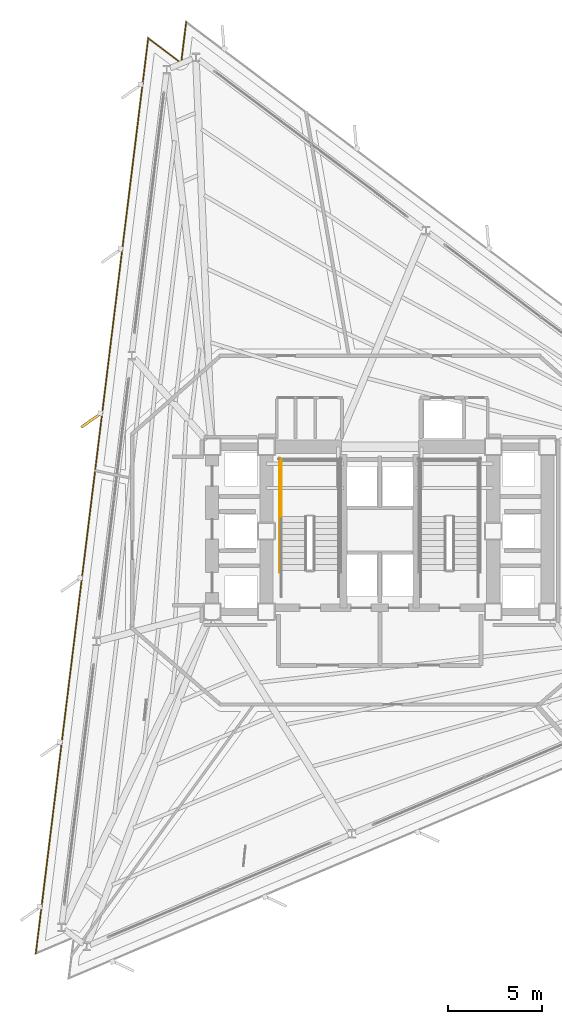
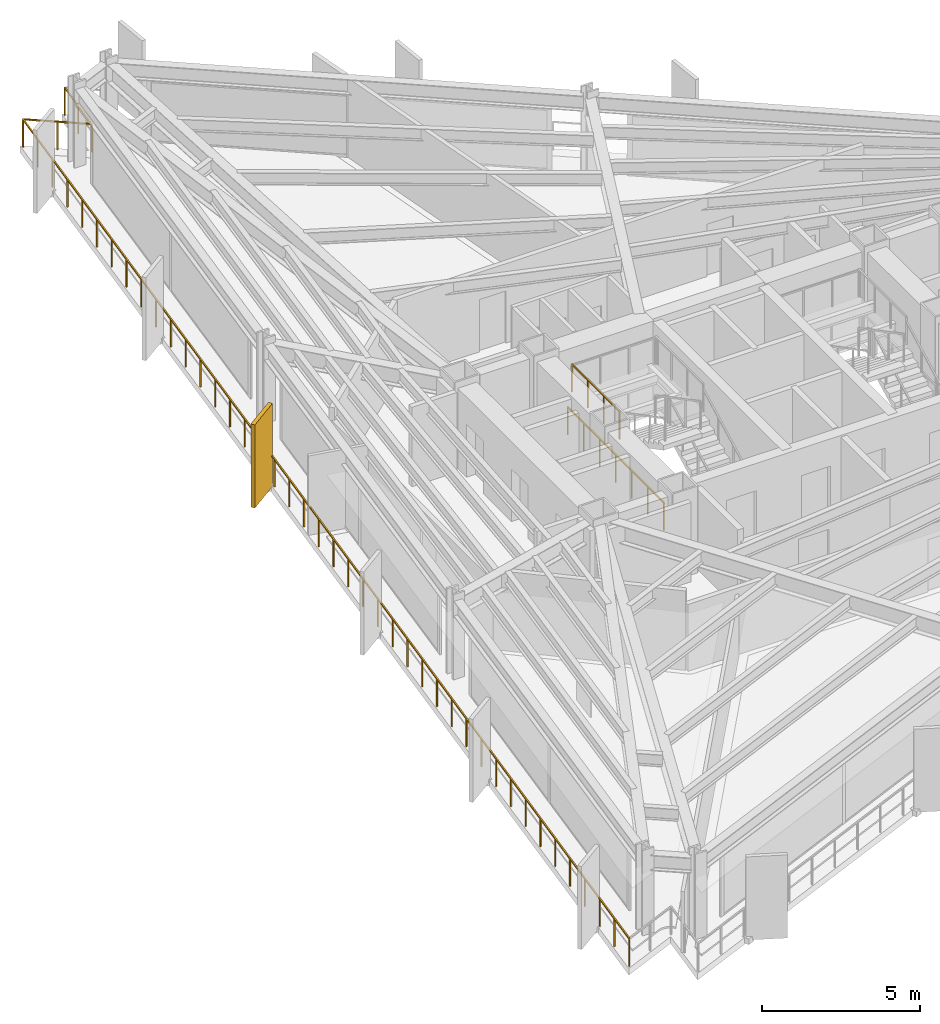
# One storey, part 11 of 13: 3 railings, 1 shading device.
"""IFC4 building model written with IfcOpenShell, lengths in metres."""

from ifc_helpers import new_model, si_unit, direction, frame, origin, origin_2d, place, context, subcontext, project, spatial, rectangle, extrude, material, layer, layer_set, type_object, element, save


model = new_model("IFC4")

# Units and contexts
model_context = context("Model", 3, precision=1e-05, world=origin(), true_north=direction((0.0, 1.0)))
body_context = subcontext(model_context, "Body", "Model", "MODEL_VIEW")
ifc_project = project(units=[si_unit("LENGTHUNIT", "METRE"), si_unit("AREAUNIT", "SQUARE_METRE"), si_unit("VOLUMEUNIT", "CUBIC_METRE"), si_unit("PLANEANGLEUNIT", "RADIAN"), si_unit("MASSUNIT", "GRAM", prefix="KILO")], contexts=[model_context])

# Site, building, storey
site_placement = place(None, origin())
site = spatial("IfcSite", under=ifc_project, at=site_placement, CompositionType="ELEMENT")
building_placement = place(site_placement, origin())
building = spatial("IfcBuilding", under=site, at=building_placement, Name="Rocaltana Carrier Exchange", CompositionType="ELEMENT")
storey_placement = place(building_placement, frame((0.0, 0.0, 69.760009765625)))
storey = spatial("IfcBuildingStorey", under=building, at=storey_placement, Name="L21", CompositionType="ELEMENT", Elevation=69.760009765625)

# Railings
ifc_material_1 = material(Name="Powder-Coated Aluminium 6063-T6", Category="aluminium")
ifc_layer_1 = layer(ifc_material_1, 0.048095703125)
ifc_layer_set_1 = layer_set([ifc_layer_1], Name="Powder-Coated Aluminium 6063-T6")
railing_type_1 = type_object("IfcRailingType", Name="Stair Well Guardrail 1100", PredefinedType="GUARDRAIL", material=ifc_layer_set_1)
railing_1_placement = place(storey_placement, frame((-5.25, 0.780029296875, 1.679931640625)))
element("IfcRailing", 1, at=railing_1_placement, inside=storey, type_object=railing_type_1, Name="L21 ST-1 stair guard 4", PredefinedType="GUARDRAIL", context=body_context, shape_type="SweptSolid", body=[
    extrude(rectangle(XDim=0.048095703125, YDim=0.048095703125, at=origin_2d()), frame((0.0, 0.0, 1.076171875), z_axis=(0.0, 1.0, 0.0), x_axis=(-1.0, 0.0, 0.0)), (0.0, 0.0, 1.0), 3.02001953125),
    extrude(rectangle(XDim=0.0419921875, YDim=0.0419921875, at=origin_2d()), origin(), (0.0, 0.0, 1.0), 1.052001953125),
    extrude(rectangle(XDim=0.0419921875, YDim=0.0419921875, at=origin_2d()), frame((0.0, 1.006591796875, 0.0)), (0.0, 0.0, 1.0), 1.052001953125),
    extrude(rectangle(XDim=0.0419921875, YDim=0.0419921875, at=origin_2d()), frame((0.0, 2.013427734375, 0.0)), (0.0, 0.0, 1.0), 1.052001953125),
    extrude(rectangle(XDim=0.0419921875, YDim=0.0419921875, at=origin_2d()), frame((0.0, 3.02001953125, 0.0)), (0.0, 0.0, 1.0), 1.052001953125),
])
railing_2_placement = place(storey_placement, frame((-5.35009765625, -2.199951171875, 0.0)))
element("IfcRailing", 2, at=railing_2_placement, inside=storey, type_object=railing_type_1, Name="L21 ST-1 stair guard 11", PredefinedType="GUARDRAIL", context=body_context, shape_type="SweptSolid", body=[
    extrude(rectangle(XDim=0.048095703125, YDim=0.048095703125, at=origin_2d()), frame((0.0, 0.0, 1.076171875), z_axis=(0.0, 1.0, 0.0), x_axis=(-1.0, 0.0, 0.0)), (0.0, 0.0, 1.0), 6.099853515625),
    extrude(rectangle(XDim=0.0419921875, YDim=0.0419921875, at=origin_2d()), origin(), (0.0, 0.0, 1.0), 1.052001953125),
    extrude(rectangle(XDim=0.0419921875, YDim=0.0419921875, at=origin_2d()), frame((0.0, 1.0166015625, 0.0)), (0.0, 0.0, 1.0), 1.052001953125),
    extrude(rectangle(XDim=0.0419921875, YDim=0.0419921875, at=origin_2d()), frame((0.0, 2.033203125, 0.0)), (0.0, 0.0, 1.0), 1.052001953125),
    extrude(rectangle(XDim=0.0419921875, YDim=0.0419921875, at=origin_2d()), frame((0.0, 3.0498046875, 0.0)), (0.0, 0.0, 1.0), 1.052001953125),
    extrude(rectangle(XDim=0.0419921875, YDim=0.0419921875, at=origin_2d()), frame((0.0, 4.066650390625, 0.0)), (0.0, 0.0, 1.0), 1.052001953125),
    extrude(rectangle(XDim=0.0419921875, YDim=0.0419921875, at=origin_2d()), frame((0.0, 5.083251953125, 0.0)), (0.0, 0.0, 1.0), 1.052001953125),
    extrude(rectangle(XDim=0.0419921875, YDim=0.0419921875, at=origin_2d()), frame((0.0, 6.099853515625, 0.0)), (0.0, 0.0, 1.0), 1.052001953125),
])

# Shading device
ifc_material_2 = material(Name="Honed Bogota Sandstone & Concrete C45/55", Category="masonry")
ifc_layer_2 = layer(ifc_material_2, 0.139892578125)
ifc_layer_set_2 = layer_set([ifc_layer_2], Name="Honed Bogota Sandstone & Concrete C45/55")
shading_device_type = type_object("IfcShadingDeviceType", Name="Vertical Sandstone Shading Fin 1320x140", PredefinedType="USERDEFINED", material=ifc_layer_set_2)
shading_device_placement = place(storey_placement, frame((-15.38427734375, 5.92431640625, -0.1201171875), z_axis=(0.0, 0.0, 1.0), x_axis=(-0.819152044289, -0.573576436351, 0.0)))
element("IfcShadingDevice", 3, at=shading_device_placement, inside=storey, type_object=shading_device_type, Name="L21 Sandstone Vertical Fin F2-03", ObjectType="FIN", PredefinedType="USERDEFINED", context=body_context, shape_type="SweptSolid", body=[
    extrude(rectangle(XDim=1.320068359375, YDim=0.139892578125, at=origin_2d()), origin(), (0.0, 0.0, 1.0), 3.218017578125),
])

# Railing
ifc_material_3 = material(Name="Powder-Coated Aluminium 6063-T6", Category="aluminium")
ifc_layer_3 = layer(ifc_material_3, 0.06005859375)
ifc_layer_set_3 = layer_set([ifc_layer_3], Name="Powder-Coated Aluminium 6063-T6")
railing_type_2 = type_object("IfcRailingType", Name="Wind-Floor & Terrace Perimeter Guardrail 1100", PredefinedType="GUARDRAIL", material=ifc_layer_set_3)
railing_3_placement = place(storey_placement, frame((-18.352783203125, -22.52734375, 0.0)))
element("IfcRailing", 4, at=railing_3_placement, inside=storey, type_object=railing_type_2, Name="L21 Perimeter Balcony Guardrail 2", PredefinedType="GUARDRAIL", context=body_context, shape_type="SweptSolid", body=[
    extrude(rectangle(XDim=0.048095703125, YDim=0.048095703125, at=origin_2d()), frame((0.0, 0.0, 1.076171875), z_axis=(0.12186659782, 0.992546488753, 0.0), x_axis=(-0.992546488753, 0.12186659782, 0.0)), (0.0, 0.0, 1.0), 49.192138671875),
    extrude(rectangle(XDim=0.048095703125, YDim=0.048095703125, at=origin_2d()), frame((5.994873046875, 48.825439453125, 1.076171875), z_axis=(0.798653030423, -0.601791772125, 0.0), x_axis=(0.601791772125, 0.798653030423, 0.0)), (0.0, 0.0, 1.0), 2.199951171875),
    extrude(rectangle(XDim=0.048095703125, YDim=0.048095703125, at=origin_2d()), frame((7.751953125, 47.50146484375, 1.076171875), z_axis=(0.121849105842, 0.992548636292, 0.0), x_axis=(-0.992548636292, 0.121849105842, 0.0)), (0.0, 0.0, 1.0), 2.199951171875),
    extrude(rectangle(XDim=0.0419921875, YDim=0.0419921875, at=origin_2d()), origin(), (0.0, 0.0, 1.0), 1.052001953125),
    extrude(rectangle(XDim=0.0419921875, YDim=0.0419921875, at=origin_2d()), frame((0.146240234375, 1.19091796875, 0.0)), (0.0, 0.0, 1.0), 1.052001953125),
    extrude(rectangle(XDim=0.0419921875, YDim=0.0419921875, at=origin_2d()), frame((0.29248046875, 2.3818359375, 0.0)), (0.0, 0.0, 1.0), 1.052001953125),
    extrude(rectangle(XDim=0.0419921875, YDim=0.0419921875, at=origin_2d()), frame((0.438720703125, 3.572509765625, 0.0)), (0.0, 0.0, 1.0), 1.052001953125),
    extrude(rectangle(XDim=0.0419921875, YDim=0.0419921875, at=origin_2d()), frame((0.5849609375, 4.763427734375, 0.0)), (0.0, 0.0, 1.0), 1.052001953125),
    extrude(rectangle(XDim=0.0419921875, YDim=0.0419921875, at=origin_2d()), frame((0.731201171875, 5.954345703125, 0.0)), (0.0, 0.0, 1.0), 1.052001953125),
    extrude(rectangle(XDim=0.0419921875, YDim=0.0419921875, at=origin_2d()), frame((0.877197265625, 7.145263671875, 0.0)), (0.0, 0.0, 1.0), 1.052001953125),
    extrude(rectangle(XDim=0.0419921875, YDim=0.0419921875, at=origin_2d()), frame((1.0234375, 8.3359375, 0.0)), (0.0, 0.0, 1.0), 1.052001953125),
    extrude(rectangle(XDim=0.0419921875, YDim=0.0419921875, at=origin_2d()), frame((1.169677734375, 9.52685546875, 0.0)), (0.0, 0.0, 1.0), 1.052001953125),
    extrude(rectangle(XDim=0.0419921875, YDim=0.0419921875, at=origin_2d()), frame((1.31591796875, 10.7177734375, 0.0)), (0.0, 0.0, 1.0), 1.052001953125),
    extrude(rectangle(XDim=0.0419921875, YDim=0.0419921875, at=origin_2d()), frame((1.462158203125, 11.90869140625, 0.0)), (0.0, 0.0, 1.0), 1.052001953125),
    extrude(rectangle(XDim=0.0419921875, YDim=0.0419921875, at=origin_2d()), frame((1.6083984375, 13.099609375, 0.0)), (0.0, 0.0, 1.0), 1.052001953125),
    extrude(rectangle(XDim=0.0419921875, YDim=0.0419921875, at=origin_2d()), frame((1.754638671875, 14.290283203125, 0.0)), (0.0, 0.0, 1.0), 1.052001953125),
    extrude(rectangle(XDim=0.0419921875, YDim=0.0419921875, at=origin_2d()), frame((1.90087890625, 15.481201171875, 0.0)), (0.0, 0.0, 1.0), 1.052001953125),
    extrude(rectangle(XDim=0.0419921875, YDim=0.0419921875, at=origin_2d()), frame((2.047119140625, 16.672119140625, 0.0)), (0.0, 0.0, 1.0), 1.052001953125),
    extrude(rectangle(XDim=0.0419921875, YDim=0.0419921875, at=origin_2d()), frame((2.193359375, 17.863037109375, 0.0)), (0.0, 0.0, 1.0), 1.052001953125),
    extrude(rectangle(XDim=0.0419921875, YDim=0.0419921875, at=origin_2d()), frame((2.33935546875, 19.0537109375, 0.0)), (0.0, 0.0, 1.0), 1.052001953125),
    extrude(rectangle(XDim=0.0419921875, YDim=0.0419921875, at=origin_2d()), frame((2.485595703125, 20.24462890625, 0.0)), (0.0, 0.0, 1.0), 1.052001953125),
    extrude(rectangle(XDim=0.0419921875, YDim=0.0419921875, at=origin_2d()), frame((2.6318359375, 21.435546875, 0.0)), (0.0, 0.0, 1.0), 1.052001953125),
    extrude(rectangle(XDim=0.0419921875, YDim=0.0419921875, at=origin_2d()), frame((2.778076171875, 22.62646484375, 0.0)), (0.0, 0.0, 1.0), 1.052001953125),
    extrude(rectangle(XDim=0.0419921875, YDim=0.0419921875, at=origin_2d()), frame((2.92431640625, 23.8173828125, 0.0)), (0.0, 0.0, 1.0), 1.052001953125),
    extrude(rectangle(XDim=0.0419921875, YDim=0.0419921875, at=origin_2d()), frame((3.070556640625, 25.008056640625, 0.0)), (0.0, 0.0, 1.0), 1.052001953125),
    extrude(rectangle(XDim=0.0419921875, YDim=0.0419921875, at=origin_2d()), frame((3.216796875, 26.198974609375, 0.0)), (0.0, 0.0, 1.0), 1.052001953125),
    extrude(rectangle(XDim=0.0419921875, YDim=0.0419921875, at=origin_2d()), frame((3.363037109375, 27.389892578125, 0.0)), (0.0, 0.0, 1.0), 1.052001953125),
    extrude(rectangle(XDim=0.0419921875, YDim=0.0419921875, at=origin_2d()), frame((3.50927734375, 28.580810546875, 0.0)), (0.0, 0.0, 1.0), 1.052001953125),
    extrude(rectangle(XDim=0.0419921875, YDim=0.0419921875, at=origin_2d()), frame((3.655517578125, 29.771728515625, 0.0)), (0.0, 0.0, 1.0), 1.052001953125),
    extrude(rectangle(XDim=0.0419921875, YDim=0.0419921875, at=origin_2d()), frame((3.801513671875, 30.96240234375, 0.0)), (0.0, 0.0, 1.0), 1.052001953125),
    extrude(rectangle(XDim=0.0419921875, YDim=0.0419921875, at=origin_2d()), frame((3.94775390625, 32.1533203125, 0.0)), (0.0, 0.0, 1.0), 1.052001953125),
    extrude(rectangle(XDim=0.0419921875, YDim=0.0419921875, at=origin_2d()), frame((4.093994140625, 33.34423828125, 0.0)), (0.0, 0.0, 1.0), 1.052001953125),
    extrude(rectangle(XDim=0.0419921875, YDim=0.0419921875, at=origin_2d()), frame((4.240234375, 34.53515625, 0.0)), (0.0, 0.0, 1.0), 1.052001953125),
    extrude(rectangle(XDim=0.0419921875, YDim=0.0419921875, at=origin_2d()), frame((4.386474609375, 35.725830078125, 0.0)), (0.0, 0.0, 1.0), 1.052001953125),
    extrude(rectangle(XDim=0.0419921875, YDim=0.0419921875, at=origin_2d()), frame((4.53271484375, 36.916748046875, 0.0)), (0.0, 0.0, 1.0), 1.052001953125),
    extrude(rectangle(XDim=0.0419921875, YDim=0.0419921875, at=origin_2d()), frame((4.678955078125, 38.107666015625, 0.0)), (0.0, 0.0, 1.0), 1.052001953125),
    extrude(rectangle(XDim=0.0419921875, YDim=0.0419921875, at=origin_2d()), frame((4.8251953125, 39.298583984375, 0.0)), (0.0, 0.0, 1.0), 1.052001953125),
    extrude(rectangle(XDim=0.0419921875, YDim=0.0419921875, at=origin_2d()), frame((4.971435546875, 40.489501953125, 0.0)), (0.0, 0.0, 1.0), 1.052001953125),
    extrude(rectangle(XDim=0.0419921875, YDim=0.0419921875, at=origin_2d()), frame((5.11767578125, 41.68017578125, 0.0)), (0.0, 0.0, 1.0), 1.052001953125),
    extrude(rectangle(XDim=0.0419921875, YDim=0.0419921875, at=origin_2d()), frame((5.263671875, 42.87109375, 0.0)), (0.0, 0.0, 1.0), 1.052001953125),
    extrude(rectangle(XDim=0.0419921875, YDim=0.0419921875, at=origin_2d()), frame((5.409912109375, 44.06201171875, 0.0)), (0.0, 0.0, 1.0), 1.052001953125),
    extrude(rectangle(XDim=0.0419921875, YDim=0.0419921875, at=origin_2d()), frame((5.55615234375, 45.2529296875, 0.0)), (0.0, 0.0, 1.0), 1.052001953125),
    extrude(rectangle(XDim=0.0419921875, YDim=0.0419921875, at=origin_2d()), frame((5.702392578125, 46.443603515625, 0.0)), (0.0, 0.0, 1.0), 1.052001953125),
    extrude(rectangle(XDim=0.0419921875, YDim=0.0419921875, at=origin_2d()), frame((5.8486328125, 47.634521484375, 0.0)), (0.0, 0.0, 1.0), 1.052001953125),
    extrude(rectangle(XDim=0.0419921875, YDim=0.0419921875, at=origin_2d()), frame((5.994873046875, 48.825439453125, 0.0)), (0.0, 0.0, 1.0), 1.052001953125),
    extrude(rectangle(XDim=0.0419921875, YDim=0.0419921875, at=origin_2d()), frame((6.87353515625, 48.16357421875, 0.0)), (0.0, 0.0, 1.0), 1.052001953125),
    extrude(rectangle(XDim=0.0419921875, YDim=0.0419921875, at=origin_2d()), frame((7.751953125, 47.50146484375, 0.0)), (0.0, 0.0, 1.0), 1.052001953125),
    extrude(rectangle(XDim=0.0419921875, YDim=0.0419921875, at=origin_2d()), frame((7.885986328125, 48.59326171875, 0.0)), (0.0, 0.0, 1.0), 1.052001953125),
    extrude(rectangle(XDim=0.0419921875, YDim=0.0419921875, at=origin_2d()), frame((8.02001953125, 49.68505859375, 0.0)), (0.0, 0.0, 1.0), 1.052001953125),
])

save(model, "model.ifc")
